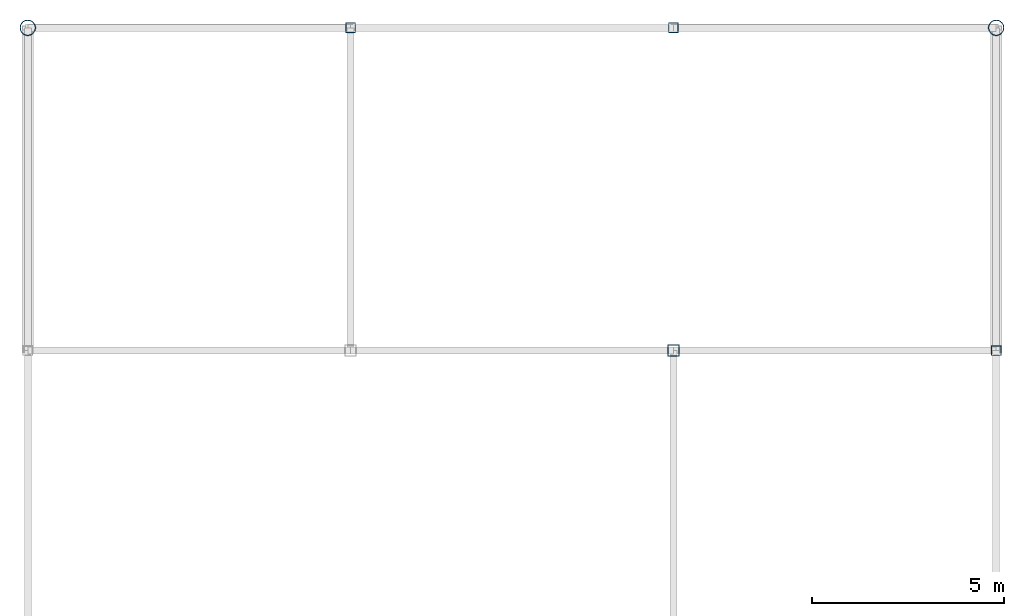
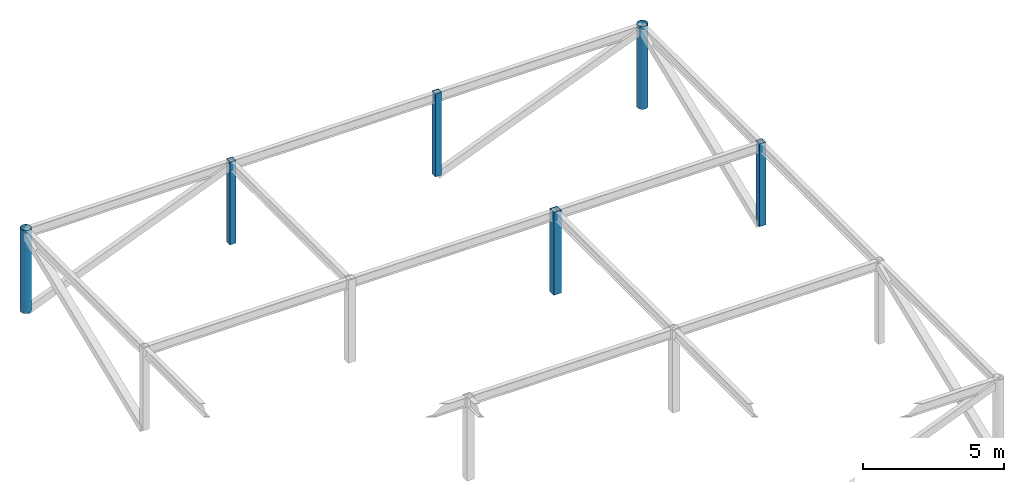
# One storey, part 2 of 3: 6 columns.
"""IFC4 building model written with IfcOpenShell, lengths in metres."""

from ifc_helpers import new_model, si_unit, direction, frame, origin, origin_2d, place, context, subcontext, project, spatial, hollow_rectangle, hollow_circle, extrude, material, material_profile, profile_set, type_object, element, save


model = new_model("IFC4")

# Units and contexts
model_context = context("Model", 3, precision=1e-05, world=origin(), true_north=direction((0.0, 1.0)))
body_context = subcontext(model_context, "Body", "Model", "MODEL_VIEW")
ifc_project = project(units=[si_unit("LENGTHUNIT", "METRE"), si_unit("AREAUNIT", "SQUARE_METRE"), si_unit("VOLUMEUNIT", "CUBIC_METRE"), si_unit("PLANEANGLEUNIT", "RADIAN"), si_unit("MASSUNIT", "GRAM", prefix="KILO")], contexts=[model_context])

# Site, building, storey
site_placement = place(None, origin())
site = spatial("IfcSite", under=ifc_project, at=site_placement, CompositionType="ELEMENT")
building_placement = place(site_placement, origin())
building = spatial("IfcBuilding", under=site, at=building_placement, Name="Almacenes y Pasaje Nevantli", CompositionType="ELEMENT")
storey_placement = place(building_placement, frame((0.0, 0.0, 71.199951171875)))
storey = spatial("IfcBuildingStorey", under=building, at=storey_placement, Name="RF", CompositionType="ELEMENT", Elevation=71.199951171875)

# Columns
ifc_material_1 = material(Name="Steel ASTM A500 Grade C", Category="steel")
ifc_material_profile_1 = material_profile(ifc_material_1, hollow_circle(Radius=0.203125, WallThickness=0.0126953125, at=origin_2d()), Name="OC 406x12.7")
ifc_profile_set_1 = profile_set([ifc_material_profile_1], Name="Steel ASTM A500 Grade C")
column_type_1 = type_object("IfcColumnType", Name="COL-STL-OC406", PredefinedType="COLUMN", material=ifc_profile_set_1)
for number, where, z_axis, x_axis, name in (
    (1, (117.60009765625, 92.39990234375, 0.0), (0.0, 0.0, 1.0), (1.0, 0.0, 0.0), "L16 Broken-Pediment Crown Steel Column (117.6,92.4)"),
    (2, (142.800048828125, 92.39990234375, 0.0), (0.0, 0.0, 1.0), (1.0, 0.0, 0.0), "L16 Broken-Pediment Crown Steel Column (142.8,92.4)"),
):
    element("IfcColumn", number, at=place(storey_placement, frame(where, z_axis=z_axis, x_axis=x_axis)), inside=storey, type_object=column_type_1, Name=name, PredefinedType="COLUMN", context=body_context, shape_type="SweptSolid", body=[
        extrude(hollow_circle(Radius=0.203125, WallThickness=0.0126953125, at=origin_2d()), origin(), (0.0, 0.0, 1.0), 3.580078125),
    ])
ifc_material_2 = material(Name="Steel ASTM A500 Grade C", Category="steel")
ifc_material_profile_2 = material_profile(ifc_material_2, hollow_rectangle(XDim=0.25390625, YDim=0.25390625, WallThickness=0.009521484375, at=origin_2d()), Name="OR 254x254x9.5")
ifc_profile_set_2 = profile_set([ifc_material_profile_2], Name="Steel ASTM A500 Grade C")
column_type_2 = type_object("IfcColumnType", Name="COL-STL-OR254", PredefinedType="COLUMN", material=ifc_profile_set_2)
for number, where, z_axis, x_axis, name in (
    (3, (126.0, 92.39990234375, 0.0), (0.0, 0.0, 1.0), (1.0, 0.0, 0.0), "L16 Broken-Pediment Crown Steel Column (126.0,92.4)"),
    (4, (134.39990234375, 92.39990234375, 0.0), (0.0, 0.0, 1.0), (1.0, 0.0, 0.0), "L16 Broken-Pediment Crown Steel Column (134.4,92.4)"),
    (5, (142.800048828125, 84.0, 0.0), (0.0, 0.0, 1.0), (1.0, 0.0, 0.0), "L16 Broken-Pediment Crown Steel Column (142.8,84.0)"),
):
    element("IfcColumn", number, at=place(storey_placement, frame(where, z_axis=z_axis, x_axis=x_axis)), inside=storey, type_object=column_type_2, Name=name, PredefinedType="COLUMN", context=body_context, shape_type="SweptSolid", body=[
        extrude(hollow_rectangle(XDim=0.25390625, YDim=0.25390625, WallThickness=0.009521484375, at=origin_2d()), origin(), (0.0, 0.0, 1.0), 3.580078125),
    ])
ifc_material_3 = material(Name="Steel ASTM A500 Grade C", Category="steel")
ifc_material_profile_3 = material_profile(ifc_material_3, hollow_rectangle(XDim=0.3046875, YDim=0.3046875, WallThickness=0.0126953125, at=origin_2d()), Name="OR 305x305x12.7")
ifc_profile_set_3 = profile_set([ifc_material_profile_3], Name="Steel ASTM A500 Grade C")
column_type_3 = type_object("IfcColumnType", Name="COL-STL-OR305", PredefinedType="COLUMN", material=ifc_profile_set_3)
column_placement = place(storey_placement, frame((134.39990234375, 84.0, 0.0), z_axis=(0.0, 0.0, 1.0), x_axis=(1.0, 0.0, 0.0)))
element("IfcColumn", 6, at=column_placement, inside=storey, type_object=column_type_3, Name="L16 Broken-Pediment Crown Steel Column (134.4,84.0)", PredefinedType="COLUMN", context=body_context, shape_type="SweptSolid", body=[
    extrude(hollow_rectangle(XDim=0.3046875, YDim=0.3046875, WallThickness=0.0126953125, at=origin_2d()), origin(), (0.0, 0.0, 1.0), 3.580078125),
])

save(model, "model.ifc")
